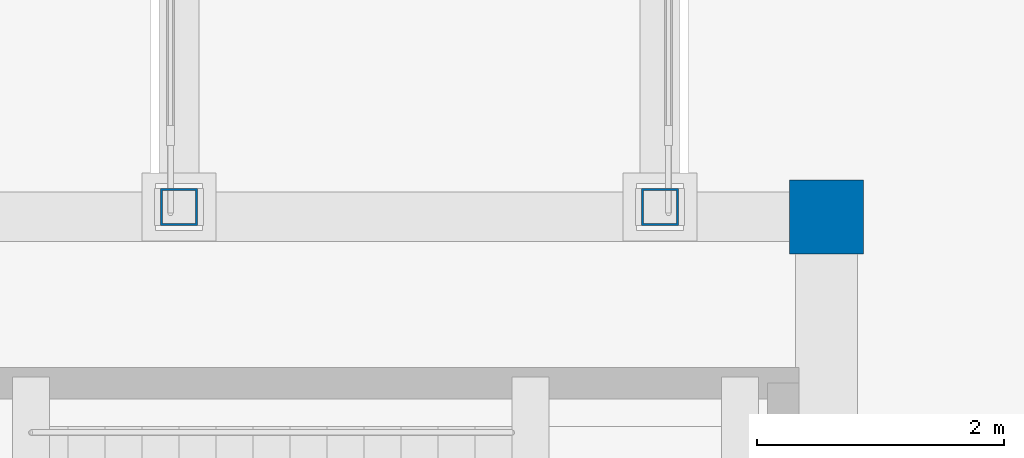
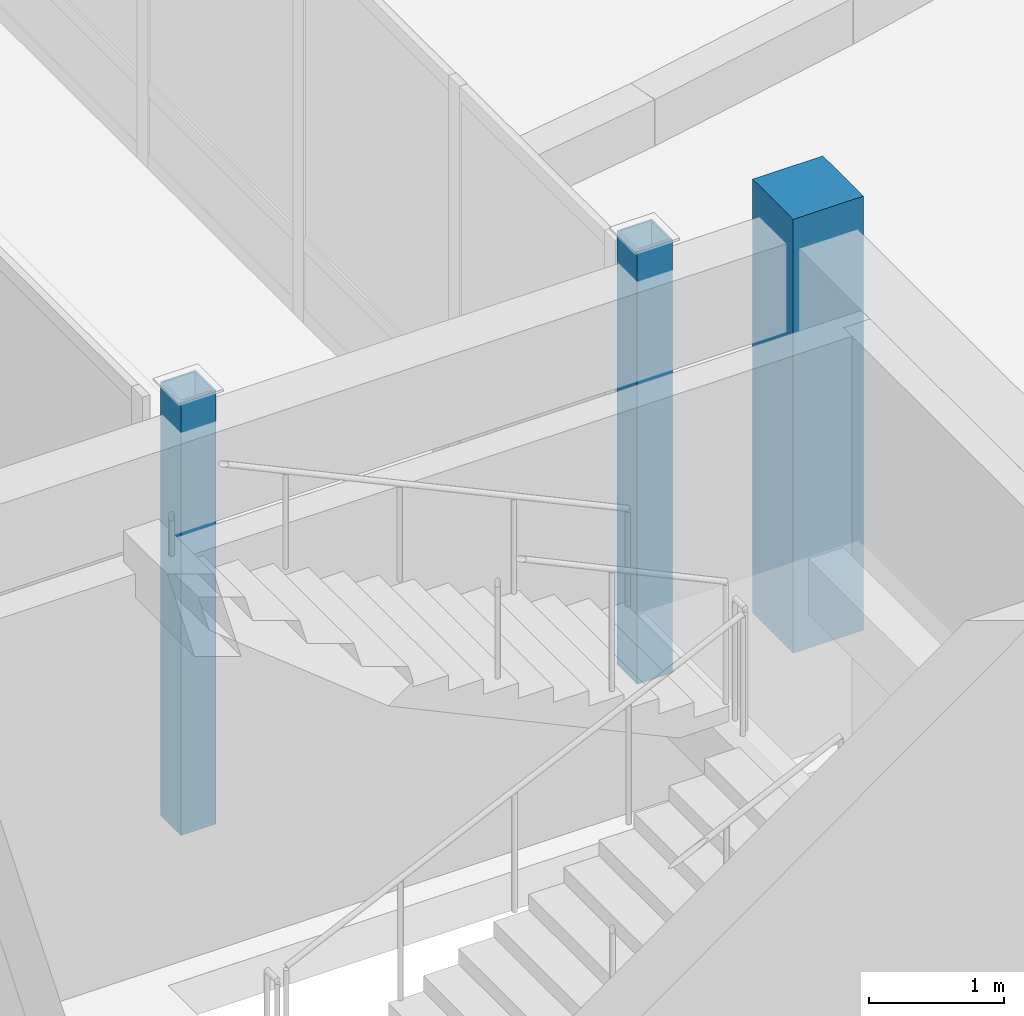
# One storey, part 8 of 135: 3 columns.
"""IFC4 building model written with IfcOpenShell, lengths in metres."""

from ifc_helpers import new_model, si_unit, direction, frame, origin, origin_2d, place, context, subcontext, project, spatial, rectangle, hollow_rectangle, extrude, material, material_profile, profile_set, type_object, element, save


model = new_model("IFC4")

# Units and contexts
model_context = context("Model", 3, precision=1e-05, world=origin(), true_north=direction((0.0, 1.0)))
body_context = subcontext(model_context, "Body", "Model", "MODEL_VIEW")
ifc_project = project(units=[si_unit("LENGTHUNIT", "METRE"), si_unit("AREAUNIT", "SQUARE_METRE"), si_unit("VOLUMEUNIT", "CUBIC_METRE"), si_unit("PLANEANGLEUNIT", "RADIAN"), si_unit("MASSUNIT", "GRAM", prefix="KILO")], contexts=[model_context])

# Site, building, storey
site_placement = place(None, origin())
site = spatial("IfcSite", under=ifc_project, at=site_placement, CompositionType="ELEMENT")
building_placement = place(site_placement, origin())
building = spatial("IfcBuilding", under=site, at=building_placement, Name="Cumbredor Promenade Congress Hotel", CompositionType="ELEMENT")
storey_placement = place(building_placement, origin())
storey = spatial("IfcBuildingStorey", under=building, at=storey_placement, Name="L00", CompositionType="ELEMENT", Elevation=0.0)

# Columns
ifc_material_1 = material(Name="Concrete C40/50", Category="concrete")
ifc_material_profile_1 = material_profile(ifc_material_1, rectangle(XDim=0.60009765625, YDim=0.60009765625, at=origin_2d()), Name="RC 600x600")
ifc_profile_set_1 = profile_set([ifc_material_profile_1], Name="Concrete C40/50")
column_type_1 = type_object("IfcColumnType", Name="COL-RC-600", PredefinedType="COLUMN", material=ifc_profile_set_1)
column_placement = place(storey_placement, frame((109.199951171875, 50.39990234375, 0.0), z_axis=(0.0, 0.0, 1.0), x_axis=(1.0, 0.0, 0.0)))
element("IfcColumn", 1, at=column_placement, inside=storey, type_object=column_type_1, Name="L00 Structural Column 134", PredefinedType="COLUMN", context=body_context, shape_type="SweptSolid", body=[
    extrude(rectangle(XDim=0.60009765625, YDim=0.60009765625, at=origin_2d()), origin(), (0.0, 0.0, 1.0), 3.919921875),
])
ifc_material_2 = material(Name="Steel ASTM A500 Grade C", Category="steel")
ifc_material_profile_2 = material_profile(ifc_material_2, hollow_rectangle(XDim=0.300048828125, YDim=0.300048828125, WallThickness=0.01611328125, at=origin_2d()), Name="HSS 300x300x16")
ifc_profile_set_2 = profile_set([ifc_material_profile_2], Name="Steel ASTM A500 Grade C")
column_type_2 = type_object("IfcColumnType", Name="COL-STL-HSS300", PredefinedType="COLUMN", material=ifc_profile_set_2)
for number, where, z_axis, x_axis, name in (
    (2, (103.949951171875, 50.47998046875, 0.0), (0.0, 0.0, 1.0), (1.0, 0.0, 0.0), "L00 Central Reflecting-Pool Promenade Bridge Support Column 1"),
    (3, (107.85009765625, 50.47998046875, 0.0), (0.0, 0.0, 1.0), (1.0, 0.0, 0.0), "L00 Central Reflecting-Pool Promenade Bridge Support Column 2"),
):
    element("IfcColumn", number, at=place(storey_placement, frame(where, z_axis=z_axis, x_axis=x_axis)), inside=storey, type_object=column_type_2, Name=name, PredefinedType="COLUMN", context=body_context, shape_type="SweptSolid", body=[
        extrude(hollow_rectangle(XDim=0.300048828125, YDim=0.300048828125, WallThickness=0.01611328125, at=origin_2d()), origin(), (0.0, 0.0, 1.0), 3.919921875),
    ])

save(model, "model.ifc")
